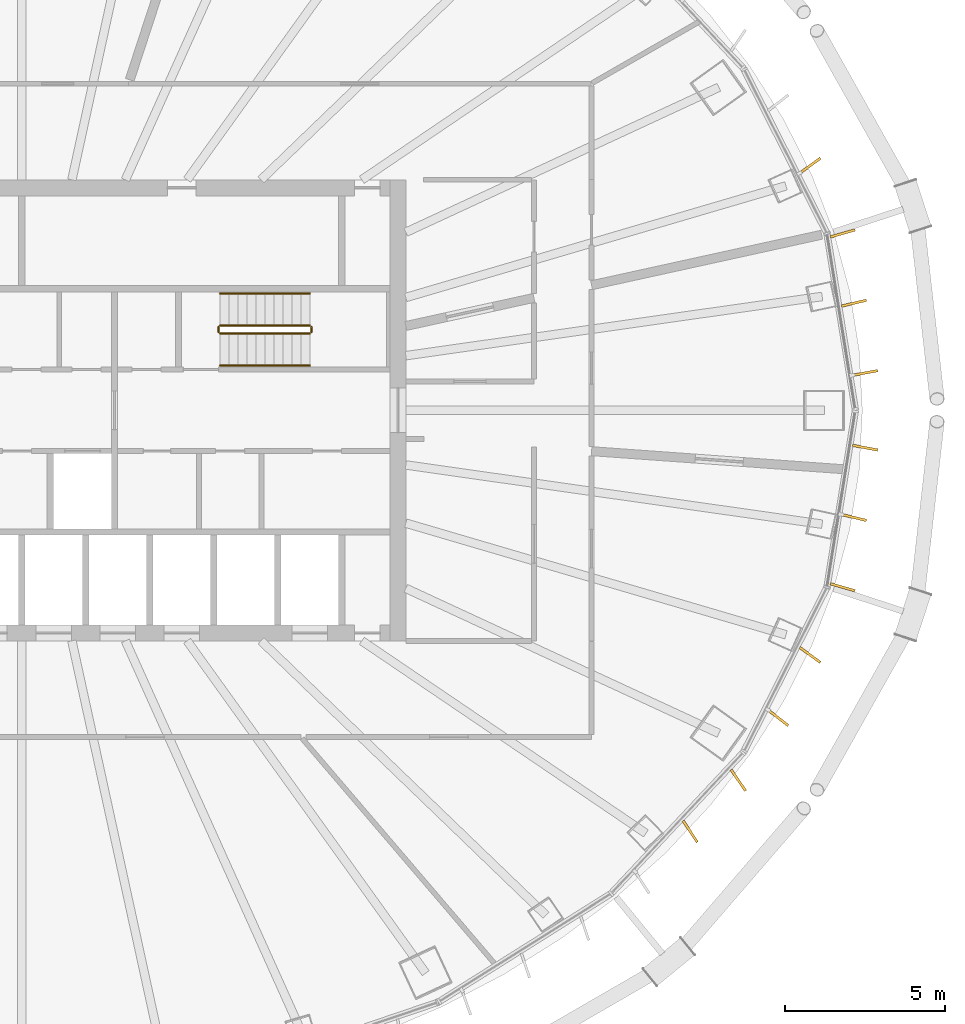
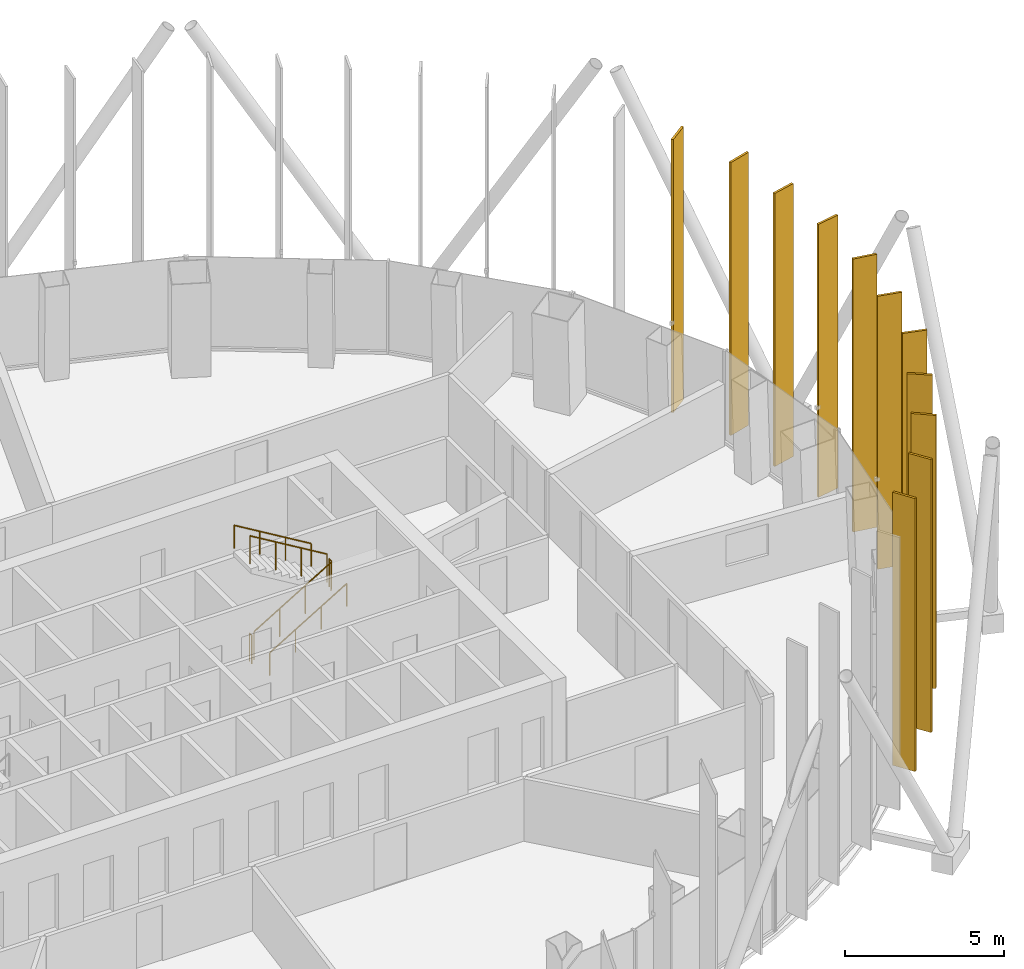
# One storey, part 18 of 19: 11 shading devices, 6 railings.
"""IFC4 building model written with IfcOpenShell, lengths in metres."""

from ifc_helpers import new_model, si_unit, direction, frame, origin, origin_2d, place, context, subcontext, project, spatial, rectangle, circle, extrude, material, layer, layer_set, type_object, element, save


model = new_model("IFC4")

# Units and contexts
model_context = context("Model", 3, precision=1e-05, world=origin(), true_north=direction((0.0, 1.0)))
body_context = subcontext(model_context, "Body", "Model", "MODEL_VIEW")
ifc_project = project(units=[si_unit("LENGTHUNIT", "METRE"), si_unit("AREAUNIT", "SQUARE_METRE"), si_unit("VOLUMEUNIT", "CUBIC_METRE"), si_unit("PLANEANGLEUNIT", "RADIAN"), si_unit("MASSUNIT", "GRAM", prefix="KILO")], contexts=[model_context])

# Site, building, storey
site_placement = place(None, origin())
site = spatial("IfcSite", under=ifc_project, at=site_placement, CompositionType="ELEMENT")
building_placement = place(site_placement, origin())
building = spatial("IfcBuilding", under=site, at=building_placement, Name="Siaravel Broadcast Tower", CompositionType="ELEMENT")
storey_placement = place(building_placement, frame((0.0, 0.0, 97.10009765625)))
storey = spatial("IfcBuildingStorey", under=building, at=storey_placement, Name="L22", CompositionType="ELEMENT", Elevation=97.10009765625)

# Shading devices
ifc_material_1 = material(Name="Bronze anodised aluminium", Category="aluminium")
ifc_layer = layer(ifc_material_1, 0.080078125)
ifc_layer_set = layer_set([ifc_layer], Name="Bronze anodised aluminium")
shading_device_type = type_object("IfcShadingDeviceType", Name="Bronze fin zone 2", PredefinedType="USERDEFINED", material=ifc_layer_set)
for number, where, z_axis, x_axis, name in (
    (1, (26.345947265625, 1.16748046875, 0.2998046875), (0.0, 0.0, 1.0), (0.983081439, 0.183169004, 0.0), "Bronze fin L22-01"),
    (2, (25.99462890625, 3.346923828125, 0.2998046875), (0.0, 0.0, 1.0), (0.972899509, 0.231228339, 0.0), "Bronze fin L22-02"),
    (3, (25.642822265625, 5.52490234375, 0.2998046875), (0.0, 0.0, 1.0), (0.961291036, 0.275535013, 0.0), "Bronze fin L22-03"),
    (4, (24.623291015625, 7.639892578125, 0.2998046875), (0.0, 0.0, 1.0), (0.809425099, 0.587223134, 0.0), "Bronze fin L22-04"),
    (5, (20.87939453125, -13.15234375, 0.2998046875), (0.0, 0.0, 1.0), (0.550466169, -0.834857471, 0.0), "Bronze fin L22-62"),
    (6, (22.380859375, -11.5517578125, 0.2998046875), (0.0, 0.0, 1.0), (0.56437642, -0.825517569, 0.0), "Bronze fin L22-63"),
    (7, (23.6279296875, -9.60302734375, 0.2998046875), (0.0, 0.0, 1.0), (0.789268456, -0.614048292, 0.0), "Bronze fin L22-64"),
    (8, (24.623291015625, -7.639892578125, 0.2998046875), (0.0, 0.0, 1.0), (0.809425099, -0.587223134, 0.0), "Bronze fin L22-65"),
    (9, (25.642822265625, -5.52490234375, 0.2998046875), (0.0, 0.0, 1.0), (0.961291036, -0.275535013, 0.0), "Bronze fin L22-66"),
    (10, (25.99462890625, -3.346923828125, 0.2998046875), (0.0, 0.0, 1.0), (0.972899509, -0.231228339, 0.0), "Bronze fin L22-67"),
    (11, (26.345947265625, -1.16748046875, 0.2998046875), (0.0, 0.0, 1.0), (0.983081439, -0.183169004, 0.0), "Bronze fin L22-68"),
):
    element("IfcShadingDevice", number, at=place(storey_placement, frame(where, z_axis=z_axis, x_axis=x_axis)), inside=storey, type_object=shading_device_type, Name=name, ObjectType="FIN", PredefinedType="USERDEFINED", context=body_context, shape_type="SweptSolid", body=[
        extrude(rectangle(XDim=0.800048828125, YDim=0.080078125, at=origin_2d()), origin(), (0.0, 0.0, 1.0), 10.5),
    ])

# Railings
ifc_material_2 = material(Name="Stainless steel 316L", Category="steel")
railing_type_1 = type_object("IfcRailingType", Name="Stair guard 1100", PredefinedType="GUARDRAIL", material=ifc_material_2)
railing_1_placement = place(storey_placement, frame((6.199951171875, 2.39990234375, 0.16796875)))
element("IfcRailing", 12, at=railing_1_placement, inside=storey, type_object=railing_type_1, Name="L22 ST-2 stair guard 1", PredefinedType="GUARDRAIL", context=body_context, shape_type="SweptSolid", body=[
    extrude(circle(Radius=0.02392578125, at=origin_2d()), frame((0.0, 0.0, 1.076171875), z_axis=(0.857242211, 0.0, 0.514913383), x_axis=(0.0, 1.0, 0.0)), (0.0, 0.0, 1.0), 3.266357421875),
    extrude(circle(Radius=0.02099609375, at=origin_2d()), origin(), (0.0, 0.0, 1.0), 1.052001953125),
    extrude(circle(Radius=0.02099609375, at=origin_2d()), frame((0.933349609375, 0.0, 0.560546875)), (0.0, 0.0, 1.0), 1.052001953125),
    extrude(circle(Radius=0.02099609375, at=origin_2d()), frame((1.86669921875, 0.0, 1.121337890625)), (0.0, 0.0, 1.0), 1.052001953125),
    extrude(circle(Radius=0.02099609375, at=origin_2d()), frame((2.800048828125, 0.0, 1.681884765625)), (0.0, 0.0, 1.0), 1.052001953125),
])
railing_2_placement = place(storey_placement, frame((9.050048828125, 2.449951171875, 1.849853515625)))
element("IfcRailing", 13, at=railing_2_placement, inside=storey, type_object=railing_type_1, Name="L22 ST-2 stair guard 2", PredefinedType="GUARDRAIL", context=body_context, shape_type="SweptSolid", body=[
    extrude(circle(Radius=0.02392578125, at=origin_2d()), frame((0.0, 0.0, 1.076171875), z_axis=(0.0, 1.0, 0.0), x_axis=(-1.0, 0.0, 0.0)), (0.0, 0.0, 1.0), 0.150146484375),
    extrude(circle(Radius=0.02099609375, at=origin_2d()), origin(), (0.0, 0.0, 1.0), 1.052001953125),
    extrude(circle(Radius=0.02099609375, at=origin_2d()), frame((0.0, 0.150146484375, 0.0)), (0.0, 0.0, 1.0), 1.052001953125),
])
railing_3_placement = place(storey_placement, frame((9.0, 2.64990234375, 2.01806640625)))
element("IfcRailing", 14, at=railing_3_placement, inside=storey, type_object=railing_type_1, Name="L22 ST-2 stair guard 3", PredefinedType="GUARDRAIL", context=body_context, shape_type="SweptSolid", body=[
    extrude(circle(Radius=0.02392578125, at=origin_2d()), frame((0.0, 0.0, 1.076171875), z_axis=(-0.857242211, 0.0, 0.514913383), x_axis=(0.0, -1.0, 0.0)), (0.0, 0.0, 1.0), 3.266357421875),
    extrude(circle(Radius=0.02099609375, at=origin_2d()), origin(), (0.0, 0.0, 1.0), 1.052001953125),
    extrude(circle(Radius=0.02099609375, at=origin_2d()), frame((-0.933349609375, 0.0, 0.560546875)), (0.0, 0.0, 1.0), 1.052001953125),
    extrude(circle(Radius=0.02099609375, at=origin_2d()), frame((-1.86669921875, 0.0, 1.121337890625)), (0.0, 0.0, 1.0), 1.052001953125),
    extrude(circle(Radius=0.02099609375, at=origin_2d()), frame((-2.800048828125, 0.0, 1.681884765625)), (0.0, 0.0, 1.0), 1.052001953125),
])
railing_4_placement = place(storey_placement, frame((6.14990234375, 2.449951171875, 0.0)))
element("IfcRailing", 15, at=railing_4_placement, inside=storey, type_object=railing_type_1, Name="L22 ST-2 stair guard 4", PredefinedType="GUARDRAIL", context=body_context, shape_type="SweptSolid", body=[
    extrude(circle(Radius=0.02392578125, at=origin_2d()), frame((0.0, 0.0, 1.076171875), z_axis=(0.0, 1.0, 0.0), x_axis=(-1.0, 0.0, 0.0)), (0.0, 0.0, 1.0), 0.150146484375),
    extrude(circle(Radius=0.02099609375, at=origin_2d()), origin(), (0.0, 0.0, 1.0), 1.052001953125),
    extrude(circle(Radius=0.02099609375, at=origin_2d()), frame((0.0, 0.150146484375, 0.0)), (0.0, 0.0, 1.0), 1.052001953125),
])
railing_type_2 = type_object("IfcRailingType", Name="Stair handrail 900", PredefinedType="HANDRAIL", material=ifc_material_2)
railing_5_placement = place(storey_placement, frame((6.199951171875, 1.39990234375, 0.16796875)))
element("IfcRailing", 16, at=railing_5_placement, inside=storey, type_object=railing_type_2, Name="L22 ST-2 stair handrail 1", PredefinedType="HANDRAIL", context=body_context, shape_type="SweptSolid", body=[
    extrude(circle(Radius=0.02392578125, at=origin_2d()), frame((0.0, 0.0, 0.8759765625), z_axis=(0.857242211, 0.0, 0.514913383), x_axis=(0.0, 1.0, 0.0)), (0.0, 0.0, 1.0), 3.266357421875),
    extrude(circle(Radius=0.02099609375, at=origin_2d()), origin(), (0.0, 0.0, 1.0), 0.851806640625),
    extrude(circle(Radius=0.02099609375, at=origin_2d()), frame((0.933349609375, 0.0, 0.560546875)), (0.0, 0.0, 1.0), 0.851806640625),
    extrude(circle(Radius=0.02099609375, at=origin_2d()), frame((1.86669921875, 0.0, 1.121337890625)), (0.0, 0.0, 1.0), 0.851806640625),
    extrude(circle(Radius=0.02099609375, at=origin_2d()), frame((2.800048828125, 0.0, 1.681884765625)), (0.0, 0.0, 1.0), 0.851806640625),
])
railing_6_placement = place(storey_placement, frame((9.0, 3.64990234375, 2.01806640625)))
element("IfcRailing", 17, at=railing_6_placement, inside=storey, type_object=railing_type_2, Name="L22 ST-2 stair handrail 2", PredefinedType="HANDRAIL", context=body_context, shape_type="SweptSolid", body=[
    extrude(circle(Radius=0.02392578125, at=origin_2d()), frame((0.0, 0.0, 0.8759765625), z_axis=(-0.857242211, 0.0, 0.514913383), x_axis=(0.0, -1.0, 0.0)), (0.0, 0.0, 1.0), 3.266357421875),
    extrude(circle(Radius=0.02099609375, at=origin_2d()), origin(), (0.0, 0.0, 1.0), 0.851806640625),
    extrude(circle(Radius=0.02099609375, at=origin_2d()), frame((-0.933349609375, 0.0, 0.560546875)), (0.0, 0.0, 1.0), 0.851806640625),
    extrude(circle(Radius=0.02099609375, at=origin_2d()), frame((-1.86669921875, 0.0, 1.121337890625)), (0.0, 0.0, 1.0), 0.851806640625),
    extrude(circle(Radius=0.02099609375, at=origin_2d()), frame((-2.800048828125, 0.0, 1.681884765625)), (0.0, 0.0, 1.0), 0.851806640625),
])

save(model, "model.ifc")
